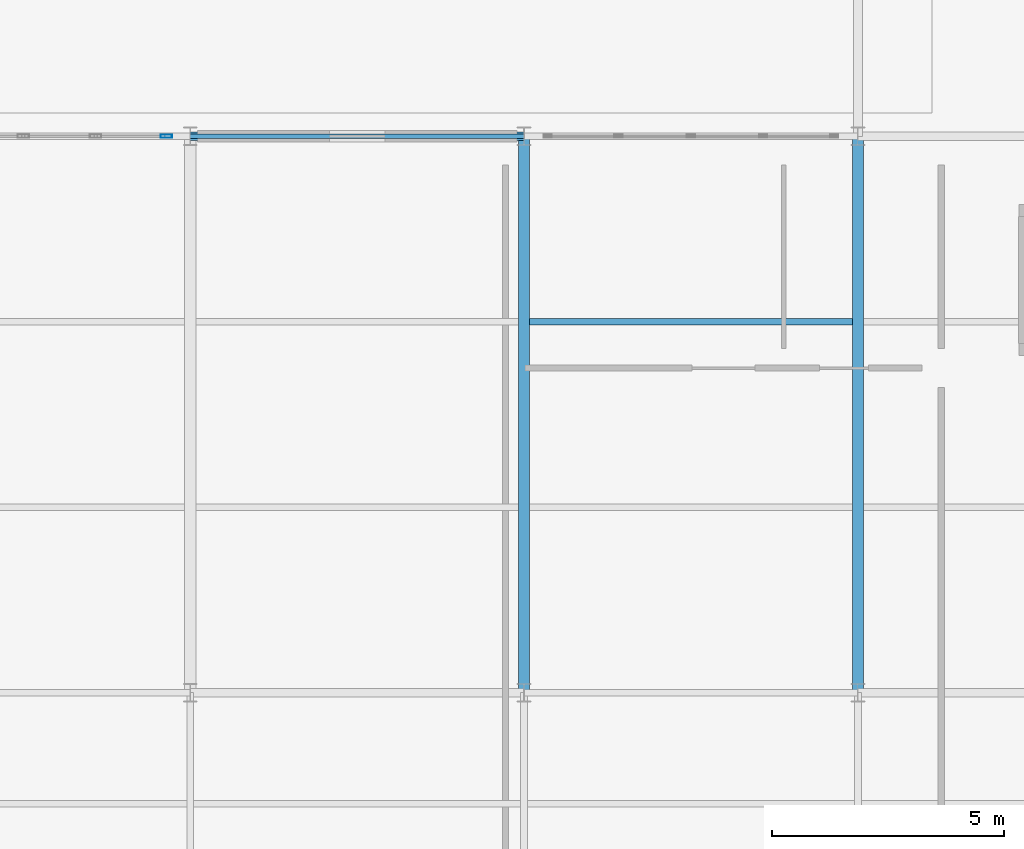
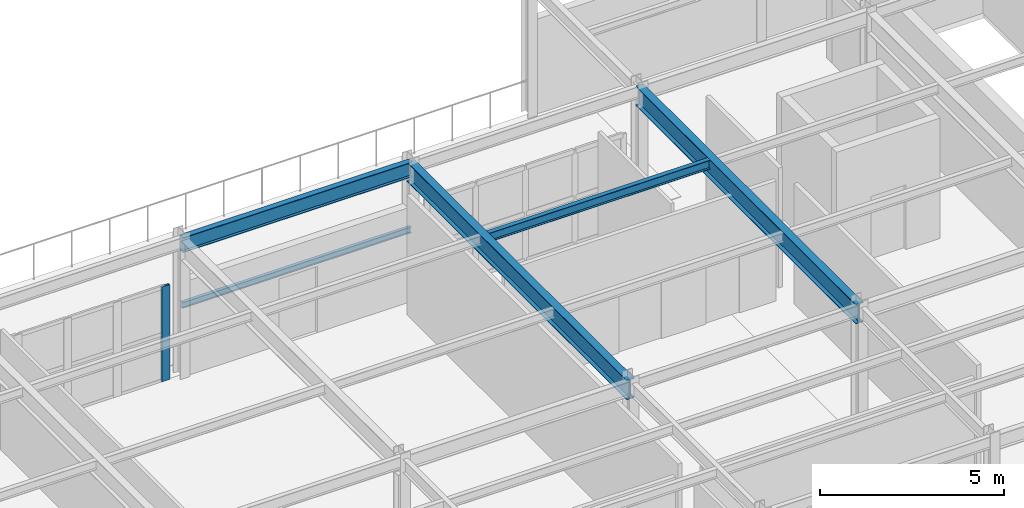
# One storey, part 22 of 41: 5 beams, 1 member, 1 element without a shape of its own.
"""IFC4 building model written with IfcOpenShell, lengths in metres."""

from ifc_helpers import new_model, si_unit, direction, frame, origin, origin_2d, place, context, subcontext, project, spatial, hollow_rectangle, i_section, extrude, material, layer, layer_set, material_profile, profile_set, type_object, element, aggregate, save


model = new_model("IFC4")

# Units and contexts
model_context = context("Model", 3, precision=1e-05, world=origin(), true_north=direction((0.0, 1.0)))
body_context = subcontext(model_context, "Body", "Model", "MODEL_VIEW")
ifc_project = project(units=[si_unit("LENGTHUNIT", "METRE"), si_unit("AREAUNIT", "SQUARE_METRE"), si_unit("VOLUMEUNIT", "CUBIC_METRE"), si_unit("PLANEANGLEUNIT", "RADIAN"), si_unit("MASSUNIT", "GRAM", prefix="KILO")], contexts=[model_context])

# Site, building, storey
site_placement = place(None, origin())
site = spatial("IfcSite", under=ifc_project, at=site_placement, CompositionType="ELEMENT")
building_placement = place(site_placement, origin())
building = spatial("IfcBuilding", under=site, at=building_placement, Name="Solvadek Multi-Sports Hall", CompositionType="ELEMENT")
storey_placement = place(building_placement, frame((0.0, 0.0, 14.39990234375)))
storey = spatial("IfcBuildingStorey", under=building, at=storey_placement, Name="L03", CompositionType="ELEMENT", Elevation=14.39990234375)

# Curtain wall, member
ifc_material_1 = material(Name="Anodised aluminium", Category="aluminium")
ifc_layer = layer(ifc_material_1, 0.159912109375, Name="Anodised aluminium")
ifc_layer_set = layer_set([ifc_layer], Name="Anodised aluminium")
curtain_wall_type = type_object("IfcCurtainWallType", Name="ENV-CW-624X315", PredefinedType="USERDEFINED", material=ifc_layer_set)
curtain_wall_placement = place(storey_placement, origin())
curtain_wall = element("IfcCurtainWall", 1, at=curtain_wall_placement, inside=storey, type_object=curtain_wall_type, Name="L03 Perimeter Bay Curtain Wall #206", ObjectType="CURTAIN WALL", PredefinedType="USERDEFINED")
ifc_material_profile_1 = material_profile(ifc_material_1, hollow_rectangle(XDim=0.070068359375, YDim=0.25, WallThickness=0.0048828125, at=origin_2d()), Name="ALU-M 250x70x5")
ifc_profile_set_1 = profile_set([ifc_material_profile_1], Name="Anodised aluminium")
member_type = type_object("IfcMemberType", Name="ENV-CWM-05", PredefinedType="MULLION", material=ifc_profile_set_1)
member_placement = place(storey_placement, frame((35.485107421875, 104.39990234375, 0.0), z_axis=(0.0, 0.0, 1.0), x_axis=(0.0, 1.0, 0.0)))
member = element("IfcMember", 2, at=member_placement, type_object=member_type, Name="CW-44 mullion 5", PredefinedType="MULLION", context=body_context, shape_type="SweptSolid", body=[
    extrude(hollow_rectangle(XDim=0.070068359375, YDim=0.25, WallThickness=0.0048828125, at=origin_2d()), origin(), (0.0, 0.0, 1.0), 3.150146484375),
])
aggregate(curtain_wall, [member])

# Beams
ifc_material_2 = material(Name="Steel E350 (350 MPa)", Category="steel")
ifc_material_profile_2 = material_profile(ifc_material_2, i_section(OverallWidth=0.179931640625, OverallDepth=0.5, WebThickness=0.01025390625, FlangeThickness=0.01708984375, at=origin_2d()), Name="ISMB 500")
ifc_profile_set_2 = profile_set([ifc_material_profile_2], Name="Steel E350 (350 MPa)")
beam_type_1 = type_object("IfcBeamType", Name="STR-BM-ISMB500", PredefinedType="BEAM", material=ifc_profile_set_2)
beam_1_placement = place(storey_placement, frame((36.0, 104.39990234375, 4.35009765625), z_axis=(1.0, 0.0, 0.0), x_axis=(0.0, 1.0, 0.0)))
element("IfcBeam", 3, at=beam_1_placement, inside=storey, type_object=beam_type_1, Name="L03 Girder B-07 #1646", PredefinedType="BEAM", context=body_context, shape_type="SweptSolid", body=[
    extrude(i_section(OverallWidth=0.179931640625, OverallDepth=0.5, WebThickness=0.01025390625, FlangeThickness=0.01708984375, at=origin_2d()), origin(), (0.0, 0.0, 1.0), 7.199951171875),
])
ifc_material_profile_3 = material_profile(ifc_material_2, i_section(OverallWidth=0.239990234375, OverallDepth=0.64990234375, WebThickness=0.0126953125, FlangeThickness=0.0205078125, at=origin_2d()), Name="NPB 650")
ifc_profile_set_3 = profile_set([ifc_material_profile_3], Name="Steel E350 (350 MPa)")
beam_type_2 = type_object("IfcBeamType", Name="STR-BM-NPB650", PredefinedType="BEAM", material=ifc_profile_set_3)
for number, where, z_axis, x_axis, name in (
    (4, (43.199951171875, 92.39990234375, 4.275146484375), (0.0, 1.0, 0.0), (-1.0, 0.0, 0.0), "L03 Girder B-03 #1669"),
    (5, (50.39990234375, 92.39990234375, 4.275146484375), (0.0, 1.0, 0.0), (-1.0, 0.0, 0.0), "L03 Girder B-03 #1671"),
):
    element("IfcBeam", number, at=place(storey_placement, frame(where, z_axis=z_axis, x_axis=x_axis)), inside=storey, type_object=beam_type_2, Name=name, PredefinedType="BEAM", context=body_context, shape_type="SweptSolid", body=[
        extrude(i_section(OverallWidth=0.239990234375, OverallDepth=0.64990234375, WebThickness=0.0126953125, FlangeThickness=0.0205078125, at=origin_2d()), origin(), (0.0, 0.0, 1.0), 12.0),
    ])
ifc_material_profile_4 = material_profile(ifc_material_2, i_section(OverallWidth=0.139892578125, OverallDepth=0.300048828125, WebThickness=0.0078125, FlangeThickness=0.01318359375, at=origin_2d()), Name="ISMB 300")
ifc_profile_set_4 = profile_set([ifc_material_profile_4], Name="Steel E350 (350 MPa)")
beam_type_3 = type_object("IfcBeamType", Name="STR-JST-ISMB300", PredefinedType="JOIST", material=ifc_profile_set_4)
beam_2_placement = place(storey_placement, frame((43.320068359375, 100.39990234375, 4.4501953125), z_axis=(1.0, 0.0, 0.0), x_axis=(0.0, 1.0, 0.0)))
element("IfcBeam", 6, at=beam_2_placement, inside=storey, type_object=beam_type_3, Name="L03 Composite Joist J-03 #943", PredefinedType="JOIST", context=body_context, shape_type="SweptSolid", body=[
    extrude(i_section(OverallWidth=0.139892578125, OverallDepth=0.300048828125, WebThickness=0.0078125, FlangeThickness=0.01318359375, at=origin_2d()), origin(), (0.0, 0.0, 1.0), 6.9599609375),
])
ifc_material_3 = material(Name="Steel E250 (250 MPa)", Category="steel")
ifc_material_profile_5 = material_profile(ifc_material_3, i_section(OverallWidth=0.10009765625, OverallDepth=0.199951171875, WebThickness=0.005615234375, FlangeThickness=0.0107421875, at=origin_2d()), Name="ISMB 200")
ifc_profile_set_5 = profile_set([ifc_material_profile_5], Name="Steel E250 (250 MPa)")
beam_type_4 = type_object("IfcBeamType", Name="STR-LIN-ISMB200", PredefinedType="LINTEL", material=ifc_profile_set_5)
beam_3_placement = place(storey_placement, frame((36.0, 104.39990234375, 2.320068359375), z_axis=(1.0, 0.0, 0.0), x_axis=(0.0, 1.0, 0.0)))
element("IfcBeam", 7, at=beam_3_placement, inside=storey, type_object=beam_type_4, Name="L03 Opening Lintel #29", PredefinedType="LINTEL", context=body_context, shape_type="SweptSolid", body=[
    extrude(i_section(OverallWidth=0.10009765625, OverallDepth=0.199951171875, WebThickness=0.005615234375, FlangeThickness=0.0107421875, at=origin_2d()), origin(), (0.0, 0.0, 1.0), 7.199951171875),
])

save(model, "model.ifc")
